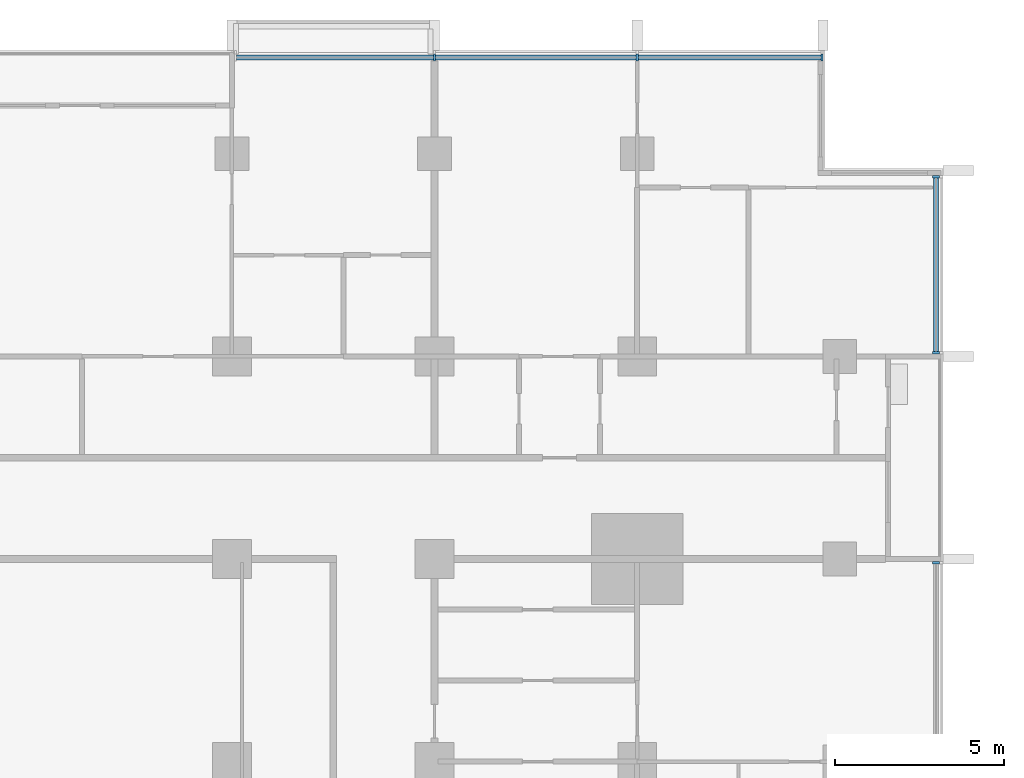
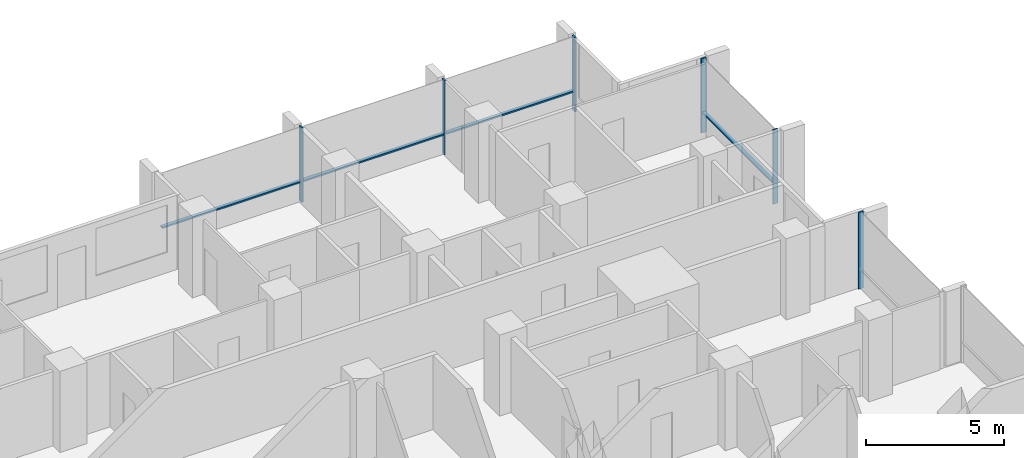
# One storey, part 5 of 17: 10 members, 3 elements without a shape of their own.
"""IFC4 building model written with IfcOpenShell, lengths in metres."""

from ifc_helpers import new_model, si_unit, direction, frame, origin, origin_2d, place, context, subcontext, project, spatial, rectangle, extrude, material, material_profile, profile_set, type_object, element, aggregate, save


model = new_model("IFC4")

# Units and contexts
model_context = context("Model", 3, precision=1e-05, world=origin(), true_north=direction((0.0, 1.0)))
body_context = subcontext(model_context, "Body", "Model", "MODEL_VIEW")
ifc_project = project(units=[si_unit("LENGTHUNIT", "METRE"), si_unit("AREAUNIT", "SQUARE_METRE"), si_unit("VOLUMEUNIT", "CUBIC_METRE"), si_unit("PLANEANGLEUNIT", "RADIAN"), si_unit("MASSUNIT", "GRAM", prefix="KILO")], contexts=[model_context])

# Site, building, storey
site_placement = place(None, origin())
site = spatial("IfcSite", under=ifc_project, at=site_placement, CompositionType="ELEMENT")
building_placement = place(site_placement, origin())
building = spatial("IfcBuilding", under=site, at=building_placement, Name="Finial Court Residences", CompositionType="ELEMENT")
storey_placement = place(building_placement, frame((0.0, 0.0, 91.89990234375)))
storey = spatial("IfcBuildingStorey", under=building, at=storey_placement, Name="L22", CompositionType="ELEMENT", Elevation=91.89990234375)

# Curtain wall, members
ifc_material = material(Name="Bronze anodised aluminium", Category="aluminium")
curtain_wall_type = type_object("IfcCurtainWallType", Name="Unitised curtain wall, lower and middle zones", PredefinedType="NOTDEFINED", material=ifc_material)
curtain_wall_1_placement = place(storey_placement, origin())
curtain_wall_1 = element("IfcCurtainWall", 1, at=curtain_wall_1_placement, inside=storey, type_object=curtain_wall_type, Name="E-L22-CW-N4", PredefinedType="NOTDEFINED")
ifc_material_profile_1 = material_profile(ifc_material, rectangle(XDim=0.199951171875, YDim=0.06494140625, at=origin_2d()), Name="CW1 mullion 65 x 200")
ifc_profile_set_1 = profile_set([ifc_material_profile_1], Name="Bronze anodised aluminium")
member_type_1 = type_object("IfcMemberType", Name="CW1 mullion 65 x 200", PredefinedType="MULLION", material=ifc_profile_set_1)
member_1_placement = place(storey_placement, frame((10.5, 22.35009765625, 0.0), z_axis=(0.0, 0.0, 1.0), x_axis=(0.0, 1.0, 0.0)))
member_1 = element("IfcMember", 2, at=member_1_placement, type_object=member_type_1, Name="CW1 mullion 2", PredefinedType="MULLION", context=body_context, shape_type="SweptSolid", body=[
    extrude(rectangle(XDim=0.199951171875, YDim=0.06494140625, at=origin_2d()), origin(), (0.0, 0.0, 1.0), 3.300048828125),
])
member_2_placement = place(storey_placement, frame((16.5, 22.35009765625, 0.0), z_axis=(0.0, 0.0, 1.0), x_axis=(0.0, 1.0, 0.0)))
member_2 = element("IfcMember", 3, at=member_2_placement, type_object=member_type_1, Name="CW1 mullion 3", PredefinedType="MULLION", context=body_context, shape_type="SweptSolid", body=[
    extrude(rectangle(XDim=0.199951171875, YDim=0.06494140625, at=origin_2d()), origin(), (0.0, 0.0, 1.0), 3.300048828125),
])
member_3_placement = place(storey_placement, frame((21.967529296875, 22.35009765625, 0.0), z_axis=(0.0, 0.0, 1.0), x_axis=(0.0, 1.0, 0.0)))
member_3 = element("IfcMember", 4, at=member_3_placement, type_object=member_type_1, Name="CW1 mullion 4", PredefinedType="MULLION", context=body_context, shape_type="SweptSolid", body=[
    extrude(rectangle(XDim=0.199951171875, YDim=0.06494140625, at=origin_2d()), origin(), (0.0, 0.0, 1.0), 3.300048828125),
])

# Curtain wall, member
curtain_wall_2_placement = place(storey_placement, origin())
curtain_wall_2 = element("IfcCurtainWall", 5, at=curtain_wall_2_placement, inside=storey, type_object=curtain_wall_type, Name="E-L22-CW-E8", PredefinedType="NOTDEFINED")
member_4_placement = place(storey_placement, frame((25.35009765625, 7.392578125, 0.0), z_axis=(0.0, 0.0, 1.0), x_axis=(-1.0, 0.0, 0.0)))
member_4 = element("IfcMember", 6, at=member_4_placement, type_object=member_type_1, Name="CW1 mullion 2", PredefinedType="MULLION", context=body_context, shape_type="SweptSolid", body=[
    extrude(rectangle(XDim=0.199951171875, YDim=0.06494140625, at=origin_2d()), origin(), (0.0, 0.0, 1.0), 3.400146484375),
])
aggregate(curtain_wall_2, [member_4])

# Curtain wall, members
curtain_wall_3_placement = place(storey_placement, origin())
curtain_wall_3 = element("IfcCurtainWall", 7, at=curtain_wall_3_placement, inside=storey, type_object=curtain_wall_type, Name="E-L22-CW-E9", PredefinedType="NOTDEFINED")
member_5_placement = place(storey_placement, frame((25.35009765625, 13.607421875, 0.0), z_axis=(0.0, 0.0, 1.0), x_axis=(-1.0, 0.0, 0.0)))
member_5 = element("IfcMember", 8, at=member_5_placement, type_object=member_type_1, Name="CW1 mullion 1", PredefinedType="MULLION", context=body_context, shape_type="SweptSolid", body=[
    extrude(rectangle(XDim=0.199951171875, YDim=0.06494140625, at=origin_2d()), origin(), (0.0, 0.0, 1.0), 3.300048828125),
])
member_6_placement = place(storey_placement, frame((25.35009765625, 18.8173828125, 0.0), z_axis=(0.0, 0.0, 1.0), x_axis=(-1.0, 0.0, 0.0)))
member_6 = element("IfcMember", 9, at=member_6_placement, type_object=member_type_1, Name="CW1 mullion 2", PredefinedType="MULLION", context=body_context, shape_type="SweptSolid", body=[
    extrude(rectangle(XDim=0.199951171875, YDim=0.06494140625, at=origin_2d()), origin(), (0.0, 0.0, 1.0), 3.300048828125),
])

# Member
ifc_material_profile_2 = material_profile(ifc_material, rectangle(XDim=0.14990234375, YDim=0.06494140625, at=origin_2d()), Name="CW1 transom 65 x 150")
ifc_profile_set_2 = profile_set([ifc_material_profile_2], Name="Bronze anodised aluminium")
member_type_2 = type_object("IfcMemberType", Name="CW1 transom 65 x 150", PredefinedType="USERDEFINED", material=ifc_profile_set_2)
member_7_placement = place(storey_placement, frame((4.639892578125, 22.35009765625, 0.900146484375), z_axis=(1.0, 0.0, 0.0), x_axis=(0.0, 1.0, 0.0)))
member_7 = element("IfcMember", 10, at=member_7_placement, type_object=member_type_2, Name="CW1 transom 1.1", ObjectType="TRANSOM", PredefinedType="USERDEFINED", context=body_context, shape_type="SweptSolid", body=[
    extrude(rectangle(XDim=0.14990234375, YDim=0.06494140625, at=origin_2d()), origin(), (0.0, 0.0, 1.0), 5.82763671875),
])

member_8_placement = place(storey_placement, frame((10.532470703125, 22.35009765625, 0.900146484375), z_axis=(1.0, 0.0, 0.0), x_axis=(0.0, 1.0, 0.0)))
member_8 = element("IfcMember", 11, at=member_8_placement, type_object=member_type_2, Name="CW1 transom 2.1", ObjectType="TRANSOM", PredefinedType="USERDEFINED", context=body_context, shape_type="SweptSolid", body=[
    extrude(rectangle(XDim=0.14990234375, YDim=0.06494140625, at=origin_2d()), origin(), (0.0, 0.0, 1.0), 5.93505859375),
])

member_9_placement = place(storey_placement, frame((16.532470703125, 22.35009765625, 0.900146484375), z_axis=(1.0, 0.0, 0.0), x_axis=(0.0, 1.0, 0.0)))
member_9 = element("IfcMember", 12, at=member_9_placement, type_object=member_type_2, Name="CW1 transom 3.1", ObjectType="TRANSOM", PredefinedType="USERDEFINED", context=body_context, shape_type="SweptSolid", body=[
    extrude(rectangle(XDim=0.14990234375, YDim=0.06494140625, at=origin_2d()), origin(), (0.0, 0.0, 1.0), 5.402587890625),
])

aggregate(curtain_wall_1, [member_1, member_2, member_3, member_7, member_8, member_9])

member_10_placement = place(storey_placement, frame((25.35009765625, 13.639892578125, 0.900146484375), z_axis=(0.0, 1.0, 0.0), x_axis=(-1.0, 0.0, 0.0)))
member_10 = element("IfcMember", 13, at=member_10_placement, type_object=member_type_2, Name="CW1 transom 1.1", ObjectType="TRANSOM", PredefinedType="USERDEFINED", context=body_context, shape_type="SweptSolid", body=[
    extrude(rectangle(XDim=0.14990234375, YDim=0.06494140625, at=origin_2d()), origin(), (0.0, 0.0, 1.0), 5.14501953125),
])

aggregate(curtain_wall_3, [member_5, member_6, member_10])

save(model, "model.ifc")
